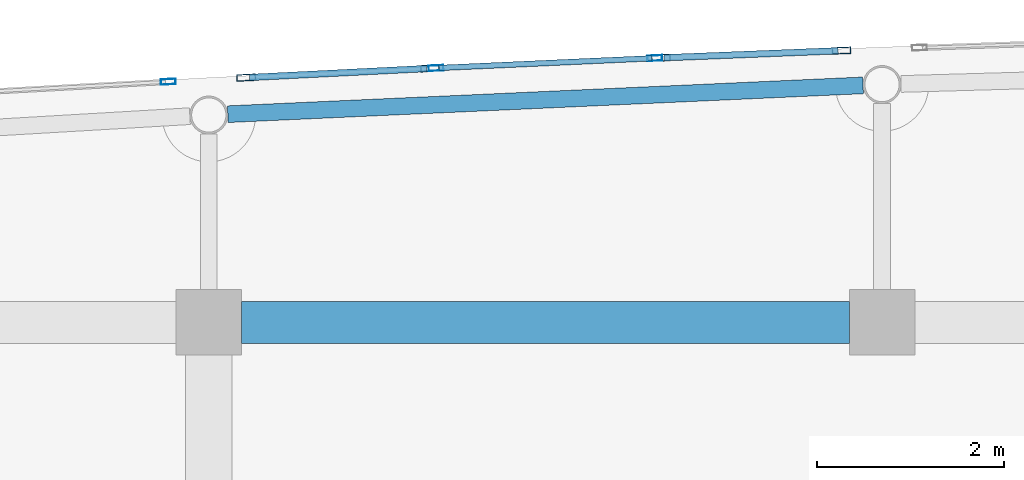
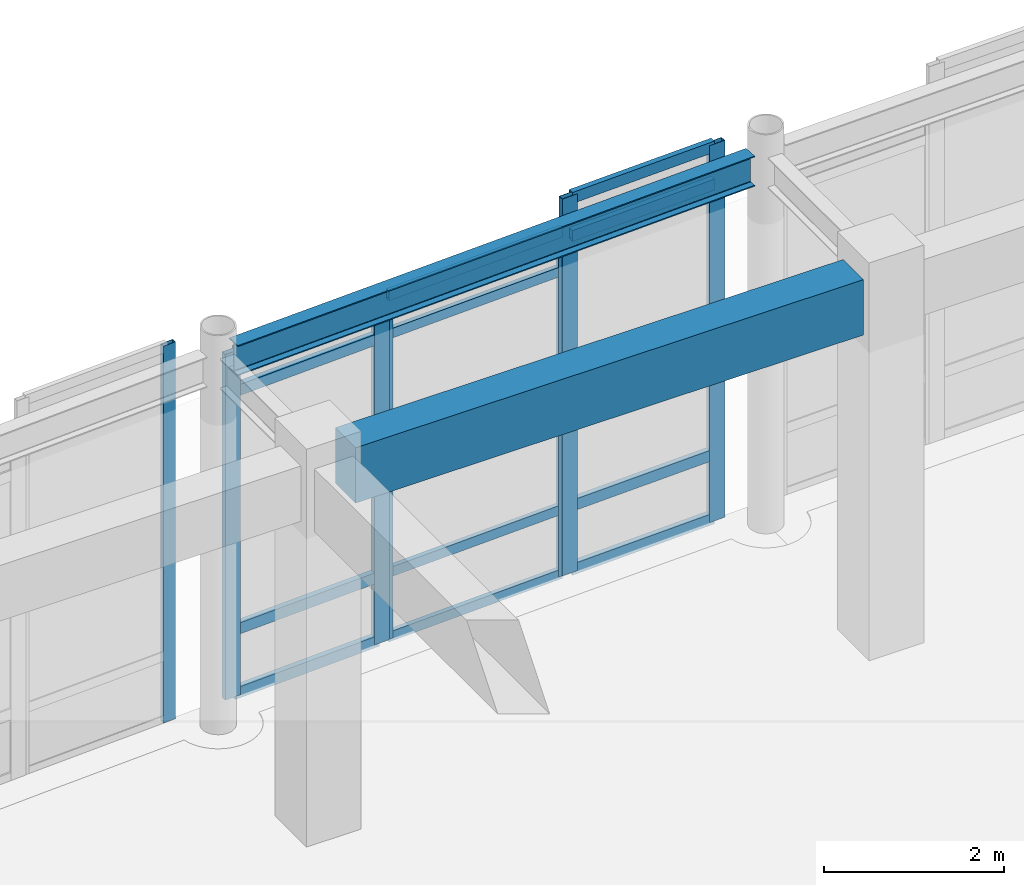
# One storey, part 41 of 102: 19 members, 2 beams, 4 elements without a shape of their own.
"""IFC4 building model written with IfcOpenShell, lengths in metres."""

from ifc_helpers import new_model, si_unit, direction, frame, origin, origin_2d, place, context, subcontext, project, spatial, rectangle, hollow_rectangle, i_section, extrude, material, layer, layer_set, material_profile, profile_set, type_object, element, aggregate, save


model = new_model("IFC4")

# Units and contexts
model_context = context("Model", 3, precision=1e-05, world=origin(), true_north=direction((0.0, 1.0)))
body_context = subcontext(model_context, "Body", "Model", "MODEL_VIEW")
ifc_project = project(units=[si_unit("LENGTHUNIT", "METRE"), si_unit("AREAUNIT", "SQUARE_METRE"), si_unit("VOLUMEUNIT", "CUBIC_METRE"), si_unit("PLANEANGLEUNIT", "RADIAN"), si_unit("MASSUNIT", "GRAM", prefix="KILO")], contexts=[model_context])

# Site, building, storey
site_placement = place(None, origin())
site = spatial("IfcSite", under=ifc_project, at=site_placement, CompositionType="ELEMENT")
building_placement = place(site_placement, origin())
building = spatial("IfcBuilding", under=site, at=building_placement, Name="Carrowvane Square Congress Hotel", CompositionType="ELEMENT")
storey_placement = place(building_placement, origin())
storey = spatial("IfcBuildingStorey", under=building, at=storey_placement, Name="L00", CompositionType="ELEMENT", Elevation=0.0)

# Beams
ifc_material_1 = material(Name="Concrete C35/45", Category="concrete")
ifc_material_profile_1 = material_profile(ifc_material_1, rectangle(XDim=0.449951171875, YDim=0.75, at=origin_2d()), Name="RC 450x750")
ifc_profile_set_1 = profile_set([ifc_material_profile_1], Name="Concrete C35/45")
beam_type_1 = type_object("IfcBeamType", Name="BM-RC-450x750", PredefinedType="USERDEFINED", material=ifc_profile_set_1)
beam_1_placement = place(storey_placement, frame((76.75, 113.39990234375, 4.72509765625), z_axis=(1.0, 0.0, 0.0), x_axis=(0.0, 1.0, 0.0)))
element("IfcBeam", 1, at=beam_1_placement, inside=storey, type_object=beam_type_1, Name="L01 girder R/10-11", ObjectType="GIRDER", PredefinedType="USERDEFINED", context=body_context, shape_type="SweptSolid", body=[
    extrude(rectangle(XDim=0.449951171875, YDim=0.75, at=origin_2d()), origin(), (0.0, 0.0, 1.0), 6.5),
])
ifc_material_2 = material(Name="Steel S355", Category="steel")
ifc_material_profile_2 = material_profile(ifc_material_2, i_section(OverallWidth=0.1787109375, OverallDepth=0.409423828125, WebThickness=0.0087890625, FlangeThickness=0.014404296875, FilletRadius=0.01025390625, at=origin_2d()), Name="UKB 406x178x67")
ifc_profile_set_2 = profile_set([ifc_material_profile_2], Name="Steel S355")
beam_type_2 = type_object("IfcBeamType", Name="BM-ST-UKB406", PredefinedType="BEAM", material=ifc_profile_set_2)
beam_2_placement = place(storey_placement, frame((76.60302734375, 115.626708984375, 4.895263671875), z_axis=(0.998973271848, 0.045303445058, 0.0), x_axis=(-0.045303445058, 0.998973271848, 0.0)))
element("IfcBeam", 2, at=beam_2_placement, inside=storey, type_object=beam_type_2, Name="L01 curved north spandrel", PredefinedType="BEAM", context=body_context, shape_type="SweptSolid", body=[
    extrude(i_section(OverallWidth=0.1787109375, OverallDepth=0.409423828125, WebThickness=0.0087890625, FlangeThickness=0.014404296875, FilletRadius=0.01025390625, at=origin_2d()), origin(), (0.0, 0.0, 1.0), 6.801025390625),
])

# Curtain wall, member
ifc_material_3 = material(Name="Anodised aluminium", Category="aluminium")
ifc_layer_1 = layer(ifc_material_3, 0.162109375)
ifc_layer_set_1 = layer_set([ifc_layer_1], Name="Anodised aluminium")
curtain_wall_type_1 = type_object("IfcCurtainWallType", Name="CW-SYS-1", PredefinedType="NOTDEFINED", material=ifc_layer_set_1)
curtain_wall_1_placement = place(storey_placement, origin())
curtain_wall_1 = element("IfcCurtainWall", 3, at=curtain_wall_1_placement, inside=storey, type_object=curtain_wall_type_1, Name="L00 unitised curtain wall 16", PredefinedType="NOTDEFINED")
ifc_material_4 = material(Name="Anodised aluminium", Category="aluminium")
ifc_material_profile_3 = material_profile(ifc_material_4, hollow_rectangle(XDim=0.06005859375, YDim=0.159912109375, WallThickness=0.00390625, at=origin_2d()), Name="CW-ML 60x160x4")
ifc_profile_set_3 = profile_set([ifc_material_profile_3], Name="Anodised aluminium")
member_type_1 = type_object("IfcMemberType", Name="CW-MUL-1", PredefinedType="MULLION", material=ifc_profile_set_3)
member_1_placement = place(storey_placement, frame((75.965576171875, 115.9736328125, 0.0), z_axis=(0.0, 0.0, 1.0), x_axis=(-0.054815980317, 0.998496473856, 0.0)))
member_1 = element("IfcMember", 4, at=member_1_placement, type_object=member_type_1, Name="CW-1 mullion 2", PredefinedType="MULLION", context=body_context, shape_type="SweptSolid", body=[
    extrude(hollow_rectangle(XDim=0.06005859375, YDim=0.159912109375, WallThickness=0.00390625, at=origin_2d()), origin(), (0.0, 0.0, 1.0), 5.10009765625),
])
aggregate(curtain_wall_1, [member_1])

# Curtain wall, members
ifc_material_5 = material(Name="Anodised aluminium", Category="aluminium")
ifc_layer_2 = layer(ifc_material_5, 0.18603515625)
ifc_layer_set_2 = layer_set([ifc_layer_2], Name="Anodised aluminium")
curtain_wall_type_2 = type_object("IfcCurtainWallType", Name="CW-SYS-3", PredefinedType="NOTDEFINED", material=ifc_layer_set_2)
curtain_wall_2_placement = place(storey_placement, origin())
curtain_wall_2 = element("IfcCurtainWall", 5, at=curtain_wall_2_placement, inside=storey, type_object=curtain_wall_type_2, Name="L00 unitised curtain wall 18", PredefinedType="NOTDEFINED")
member_2_placement = place(storey_placement, frame((78.830078125, 116.119873046875, 0.0), z_axis=(0.0, 0.0, 1.0), x_axis=(-0.045411059449, 0.998968385726, 0.0)))
member_2 = element("IfcMember", 6, at=member_2_placement, type_object=member_type_1, Name="CW-3 mullion 1", PredefinedType="MULLION", context=body_context, shape_type="SweptSolid", body=[
    extrude(hollow_rectangle(XDim=0.06005859375, YDim=0.159912109375, WallThickness=0.00390625, at=origin_2d()), origin(), (0.0, 0.0, 1.0), 4.675537109375),
])
member_3_placement = place(storey_placement, frame((81.170166015625, 116.226318359375, 0.0), z_axis=(0.0, 0.0, 1.0), x_axis=(-0.045411059449, 0.998968385726, 0.0)))
member_3 = element("IfcMember", 7, at=member_3_placement, type_object=member_type_1, Name="CW-3 mullion 2", PredefinedType="MULLION", context=body_context, shape_type="SweptSolid", body=[
    extrude(hollow_rectangle(XDim=0.06005859375, YDim=0.159912109375, WallThickness=0.00390625, at=origin_2d()), origin(), (0.0, 0.0, 1.0), 4.675537109375),
])

ifc_material_6 = material(Name="Anodised aluminium", Category="aluminium")
ifc_layer_3 = layer(ifc_material_6, 0.174072265625)
ifc_layer_set_3 = layer_set([ifc_layer_3], Name="Anodised aluminium")
curtain_wall_type_3 = type_object("IfcCurtainWallType", Name="CW-SYS-2", PredefinedType="NOTDEFINED", material=ifc_layer_set_3)
curtain_wall_3_placement = place(storey_placement, origin())
curtain_wall_3 = element("IfcCurtainWall", 8, at=curtain_wall_3_placement, inside=storey, type_object=curtain_wall_type_3, Name="L00 unitised curtain wall 17", PredefinedType="NOTDEFINED")
ifc_material_7 = material(Name="Anodised aluminium", Category="aluminium")
ifc_material_profile_4 = material_profile(ifc_material_7, hollow_rectangle(XDim=0.070068359375, YDim=0.199951171875, WallThickness=0.0048828125, at=origin_2d()), Name="CW-ML 70x200x5")
ifc_profile_set_4 = profile_set([ifc_material_profile_4], Name="Anodised aluminium")
member_type_2 = type_object("IfcMemberType", Name="CW-MUL-2", PredefinedType="MULLION", material=ifc_profile_set_4)
member_4_placement = place(storey_placement, frame((76.799560546875, 116.017822265625, 0.0), z_axis=(0.0, 0.0, 1.0), x_axis=(-0.050323791596, 0.998732955299, 0.0)))
member_4 = element("IfcMember", 9, at=member_4_placement, type_object=member_type_2, Name="CW-2 mullion 1", PredefinedType="MULLION", context=body_context, shape_type="SweptSolid", body=[
    extrude(hollow_rectangle(XDim=0.070068359375, YDim=0.199951171875, WallThickness=0.0048828125, at=origin_2d()), origin(), (0.0, 0.0, 1.0), 4.675537109375),
])
member_5_placement = place(storey_placement, frame((78.764892578125, 116.11669921875, 0.0), z_axis=(0.0, 0.0, 1.0), x_axis=(-0.050323791596, 0.998732955299, 0.0)))
member_5 = element("IfcMember", 10, at=member_5_placement, type_object=member_type_2, Name="CW-2 mullion 2", PredefinedType="MULLION", context=body_context, shape_type="SweptSolid", body=[
    extrude(hollow_rectangle(XDim=0.070068359375, YDim=0.199951171875, WallThickness=0.0048828125, at=origin_2d()), origin(), (0.0, 0.0, 1.0), 4.675537109375),
])

ifc_material_8 = material(Name="Anodised aluminium", Category="aluminium")
ifc_layer_4 = layer(ifc_material_8, 0.197998046875)
ifc_layer_set_4 = layer_set([ifc_layer_4], Name="Anodised aluminium")
curtain_wall_type_4 = type_object("IfcCurtainWallType", Name="CW-SYS-4", PredefinedType="NOTDEFINED", material=ifc_layer_set_4)
curtain_wall_4_placement = place(storey_placement, origin())
curtain_wall_4 = element("IfcCurtainWall", 11, at=curtain_wall_4_placement, inside=storey, type_object=curtain_wall_type_4, Name="L00 unitised curtain wall 19", PredefinedType="NOTDEFINED")
member_6_placement = place(storey_placement, frame((81.23486328125, 116.22900390625, 0.0), z_axis=(0.0, 0.0, 1.0), x_axis=(-0.040135742379, 0.999194236464, 0.0)))
member_6 = element("IfcMember", 12, at=member_6_placement, type_object=member_type_2, Name="CW-4 mullion 1", PredefinedType="MULLION", context=body_context, shape_type="SweptSolid", body=[
    extrude(hollow_rectangle(XDim=0.070068359375, YDim=0.199951171875, WallThickness=0.0048828125, at=origin_2d()), origin(), (0.0, 0.0, 1.0), 5.10009765625),
])
member_7_placement = place(storey_placement, frame((83.166015625, 116.306640625, 0.0), z_axis=(0.0, 0.0, 1.0), x_axis=(-0.040135742379, 0.999194236464, 0.0)))
member_7 = element("IfcMember", 13, at=member_7_placement, type_object=member_type_2, Name="CW-4 mullion 2", PredefinedType="MULLION", context=body_context, shape_type="SweptSolid", body=[
    extrude(hollow_rectangle(XDim=0.070068359375, YDim=0.199951171875, WallThickness=0.0048828125, at=origin_2d()), origin(), (0.0, 0.0, 1.0), 5.10009765625),
])

# Member
ifc_material_9 = material(Name="Anodised aluminium", Category="aluminium")
ifc_material_profile_5 = material_profile(ifc_material_9, hollow_rectangle(XDim=0.06005859375, YDim=0.1298828125, WallThickness=0.00390625, at=origin_2d()), Name="CW-TR 60x130x4")
ifc_profile_set_5 = profile_set([ifc_material_profile_5], Name="Anodised aluminium")
member_type_3 = type_object("IfcMemberType", Name="CW-TRN-1", PredefinedType="USERDEFINED", material=ifc_profile_set_5)
member_8_placement = place(storey_placement, frame((78.85986328125, 116.121337890625, 0.030029296875), z_axis=(0.998971184853, 0.045349441368, 0.0), x_axis=(-0.045349441368, 0.998971184853, 0.0)))
member_8 = element("IfcMember", 14, at=member_8_placement, type_object=member_type_3, Name="CW-3 transom 1.1", ObjectType="TRANSOM", PredefinedType="USERDEFINED", context=body_context, shape_type="SweptSolid", body=[
    extrude(hollow_rectangle(XDim=0.06005859375, YDim=0.1298828125, WallThickness=0.00390625, at=origin_2d()), origin(), (0.0, 0.0, 1.0), 2.28271484375),
])

member_9_placement = place(storey_placement, frame((78.85986328125, 116.121337890625, 0.89990234375), z_axis=(0.998971184853, 0.045349441368, 0.0), x_axis=(-0.045349441368, 0.998971184853, 0.0)))
member_9 = element("IfcMember", 15, at=member_9_placement, type_object=member_type_3, Name="CW-3 transom 1.2", ObjectType="TRANSOM", PredefinedType="USERDEFINED", context=body_context, shape_type="SweptSolid", body=[
    extrude(hollow_rectangle(XDim=0.06005859375, YDim=0.1298828125, WallThickness=0.00390625, at=origin_2d()), origin(), (0.0, 0.0, 1.0), 2.28271484375),
])

member_10_placement = place(storey_placement, frame((78.85986328125, 116.121337890625, 4.12548828125), z_axis=(0.998971184853, 0.045349441368, 0.0), x_axis=(-0.045349441368, 0.998971184853, 0.0)))
member_10 = element("IfcMember", 16, at=member_10_placement, type_object=member_type_3, Name="CW-3 transom 1.3", ObjectType="TRANSOM", PredefinedType="USERDEFINED", context=body_context, shape_type="SweptSolid", body=[
    extrude(hollow_rectangle(XDim=0.06005859375, YDim=0.1298828125, WallThickness=0.00390625, at=origin_2d()), origin(), (0.0, 0.0, 1.0), 2.28271484375),
])

member_11_placement = place(storey_placement, frame((78.85986328125, 116.121337890625, 4.6455078125), z_axis=(0.998971184853, 0.045349441368, 0.0), x_axis=(-0.045349441368, 0.998971184853, 0.0)))
member_11 = element("IfcMember", 17, at=member_11_placement, type_object=member_type_3, Name="CW-3 transom 1.4", ObjectType="TRANSOM", PredefinedType="USERDEFINED", context=body_context, shape_type="SweptSolid", body=[
    extrude(hollow_rectangle(XDim=0.06005859375, YDim=0.1298828125, WallThickness=0.00390625, at=origin_2d()), origin(), (0.0, 0.0, 1.0), 2.28271484375),
])

aggregate(curtain_wall_2, [member_2, member_3, member_8, member_9, member_10, member_11])

ifc_material_10 = material(Name="Anodised aluminium", Category="aluminium")
ifc_material_profile_6 = material_profile(ifc_material_10, hollow_rectangle(XDim=0.070068359375, YDim=0.14990234375, WallThickness=0.0048828125, at=origin_2d()), Name="CW-TR 70x150x5")
ifc_profile_set_6 = profile_set([ifc_material_profile_6], Name="Anodised aluminium")
member_type_4 = type_object("IfcMemberType", Name="CW-TRN-2", PredefinedType="USERDEFINED", material=ifc_profile_set_6)
member_12_placement = place(storey_placement, frame((76.83447265625, 116.01953125, 0.034912109375), z_axis=(0.998734310046, 0.050296897891, 0.0), x_axis=(-0.050296897891, 0.998734310046, 0.0)))
member_12 = element("IfcMember", 18, at=member_12_placement, type_object=member_type_4, Name="CW-2 transom 1.1", ObjectType="TRANSOM", PredefinedType="USERDEFINED", context=body_context, shape_type="SweptSolid", body=[
    extrude(hollow_rectangle(XDim=0.070068359375, YDim=0.14990234375, WallThickness=0.0048828125, at=origin_2d()), origin(), (0.0, 0.0, 1.0), 1.89794921875),
])

member_13_placement = place(storey_placement, frame((76.83447265625, 116.01953125, 0.89990234375), z_axis=(0.998734310046, 0.050296897891, 0.0), x_axis=(-0.050296897891, 0.998734310046, 0.0)))
member_13 = element("IfcMember", 19, at=member_13_placement, type_object=member_type_4, Name="CW-2 transom 1.2", ObjectType="TRANSOM", PredefinedType="USERDEFINED", context=body_context, shape_type="SweptSolid", body=[
    extrude(hollow_rectangle(XDim=0.070068359375, YDim=0.14990234375, WallThickness=0.0048828125, at=origin_2d()), origin(), (0.0, 0.0, 1.0), 1.89794921875),
])

member_14_placement = place(storey_placement, frame((76.83447265625, 116.01953125, 4.12548828125), z_axis=(0.998734310046, 0.050296897891, 0.0), x_axis=(-0.050296897891, 0.998734310046, 0.0)))
member_14 = element("IfcMember", 20, at=member_14_placement, type_object=member_type_4, Name="CW-2 transom 1.3", ObjectType="TRANSOM", PredefinedType="USERDEFINED", context=body_context, shape_type="SweptSolid", body=[
    extrude(hollow_rectangle(XDim=0.070068359375, YDim=0.14990234375, WallThickness=0.0048828125, at=origin_2d()), origin(), (0.0, 0.0, 1.0), 1.89794921875),
])

member_15_placement = place(storey_placement, frame((76.83447265625, 116.01953125, 4.640625), z_axis=(0.998734310046, 0.050296897891, 0.0), x_axis=(-0.050296897891, 0.998734310046, 0.0)))
member_15 = element("IfcMember", 21, at=member_15_placement, type_object=member_type_4, Name="CW-2 transom 1.4", ObjectType="TRANSOM", PredefinedType="USERDEFINED", context=body_context, shape_type="SweptSolid", body=[
    extrude(hollow_rectangle(XDim=0.070068359375, YDim=0.14990234375, WallThickness=0.0048828125, at=origin_2d()), origin(), (0.0, 0.0, 1.0), 1.89794921875),
])

aggregate(curtain_wall_3, [member_4, member_5, member_12, member_13, member_14, member_15])

member_16_placement = place(storey_placement, frame((81.27001953125, 116.23046875, 0.034912109375), z_axis=(0.999195295271, 0.040109374308, 0.0), x_axis=(-0.040109374308, 0.999195295271, 0.0)))
member_16 = element("IfcMember", 22, at=member_16_placement, type_object=member_type_4, Name="CW-4 transom 1.1", ObjectType="TRANSOM", PredefinedType="USERDEFINED", context=body_context, shape_type="SweptSolid", body=[
    extrude(hollow_rectangle(XDim=0.070068359375, YDim=0.14990234375, WallThickness=0.0048828125, at=origin_2d()), origin(), (0.0, 0.0, 1.0), 1.862548828125),
])

member_17_placement = place(storey_placement, frame((81.27001953125, 116.23046875, 0.89990234375), z_axis=(0.999195295271, 0.040109374308, 0.0), x_axis=(-0.040109374308, 0.999195295271, 0.0)))
member_17 = element("IfcMember", 23, at=member_17_placement, type_object=member_type_4, Name="CW-4 transom 1.2", ObjectType="TRANSOM", PredefinedType="USERDEFINED", context=body_context, shape_type="SweptSolid", body=[
    extrude(hollow_rectangle(XDim=0.070068359375, YDim=0.14990234375, WallThickness=0.0048828125, at=origin_2d()), origin(), (0.0, 0.0, 1.0), 1.862548828125),
])

member_18_placement = place(storey_placement, frame((81.27001953125, 116.23046875, 4.550048828125), z_axis=(0.999195295271, 0.040109374308, 0.0), x_axis=(-0.040109374308, 0.999195295271, 0.0)))
member_18 = element("IfcMember", 24, at=member_18_placement, type_object=member_type_4, Name="CW-4 transom 1.3", ObjectType="TRANSOM", PredefinedType="USERDEFINED", context=body_context, shape_type="SweptSolid", body=[
    extrude(hollow_rectangle(XDim=0.070068359375, YDim=0.14990234375, WallThickness=0.0048828125, at=origin_2d()), origin(), (0.0, 0.0, 1.0), 1.862548828125),
])

member_19_placement = place(storey_placement, frame((81.27001953125, 116.23046875, 5.06494140625), z_axis=(0.999195295271, 0.040109374308, 0.0), x_axis=(-0.040109374308, 0.999195295271, 0.0)))
member_19 = element("IfcMember", 25, at=member_19_placement, type_object=member_type_4, Name="CW-4 transom 1.4", ObjectType="TRANSOM", PredefinedType="USERDEFINED", context=body_context, shape_type="SweptSolid", body=[
    extrude(hollow_rectangle(XDim=0.070068359375, YDim=0.14990234375, WallThickness=0.0048828125, at=origin_2d()), origin(), (0.0, 0.0, 1.0), 1.862548828125),
])

aggregate(curtain_wall_4, [member_6, member_7, member_16, member_17, member_18, member_19])

save(model, "model.ifc")
